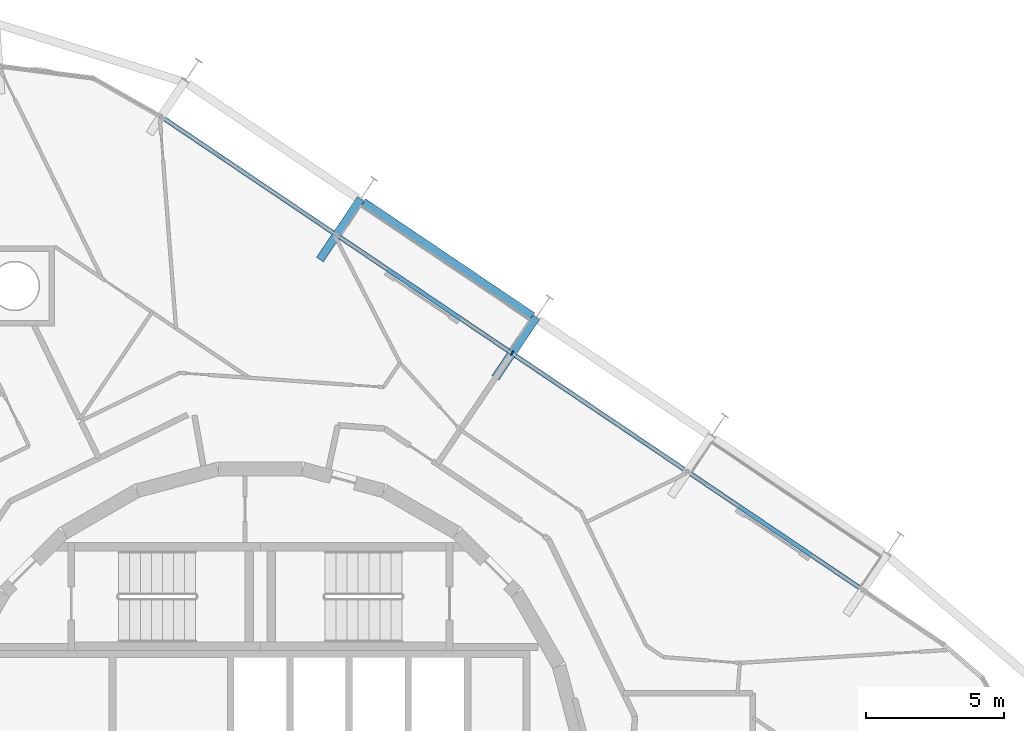
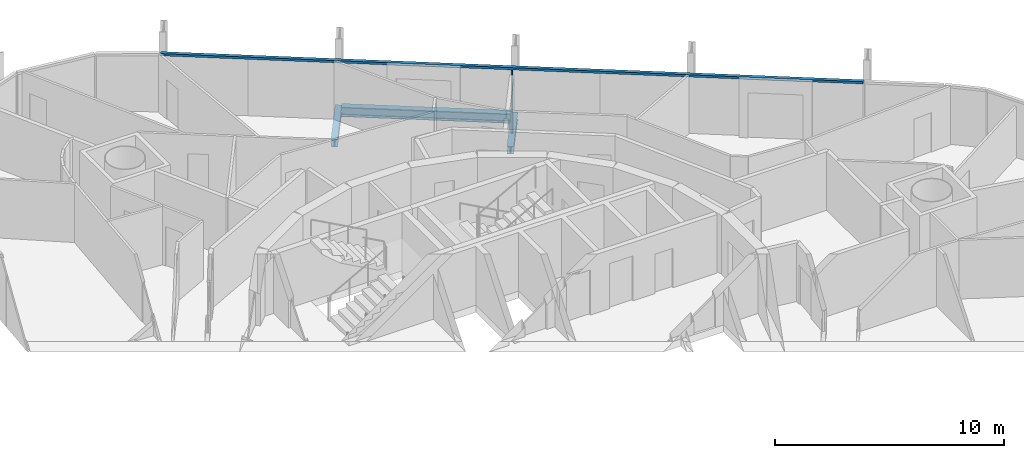
# One storey, part 7 of 17: 3 beams, 2 members, 1 element without a shape of its own.
"""IFC4 building model written with IfcOpenShell, lengths in metres."""

from ifc_helpers import new_model, si_unit, direction, frame, origin, origin_2d, place, context, subcontext, project, spatial, rectangle, i_section, extrude, material, layer, layer_set, material_profile, profile_set, type_object, element, aggregate, save


model = new_model("IFC4")

# Units and contexts
model_context = context("Model", 3, precision=1e-05, world=origin(), true_north=direction((0.0, 1.0)))
body_context = subcontext(model_context, "Body", "Model", "MODEL_VIEW")
ifc_project = project(units=[si_unit("LENGTHUNIT", "METRE"), si_unit("AREAUNIT", "SQUARE_METRE"), si_unit("VOLUMEUNIT", "CUBIC_METRE"), si_unit("PLANEANGLEUNIT", "RADIAN"), si_unit("MASSUNIT", "GRAM", prefix="KILO")], contexts=[model_context])

# Site, building, storey
site_placement = place(None, origin())
site = spatial("IfcSite", under=ifc_project, at=site_placement, CompositionType="ELEMENT")
building_placement = place(site_placement, origin())
building = spatial("IfcBuilding", under=site, at=building_placement, Name="Spindle Arch Residences", CompositionType="ELEMENT")
storey_placement = place(building_placement, frame((0.0, 0.0, 212.89990234375)))
storey = spatial("IfcBuildingStorey", under=building, at=storey_placement, Name="L54", CompositionType="ELEMENT", Elevation=212.89990234375)

# Curtain wall, members
ifc_material_1 = material(Name="Aluminium bronze unitised frame with tinted glass", Category="aluminium")
ifc_layer = layer(ifc_material_1, 0.159912109375)
ifc_layer_set = layer_set([ifc_layer], Name="CW-C typical residential unitised wall")
curtain_wall_type = type_object("IfcCurtainWallType", Name="CW-C typical residential unitised wall", PredefinedType="NOTDEFINED", material=ifc_layer_set)
curtain_wall_placement = place(storey_placement, origin())
curtain_wall = element("IfcCurtainWall", 1, at=curtain_wall_placement, inside=storey, type_object=curtain_wall_type, Name="CW-C L54 run 2", PredefinedType="NOTDEFINED")
ifc_material_2 = material(Name="Aluminium bronze anodised mullion", Category="aluminium")
ifc_material_profile_1 = material_profile(ifc_material_2, rectangle(XDim=0.159912109375, YDim=0.06005859375, at=origin_2d()), Name="MU 60x160")
ifc_profile_set_1 = profile_set([ifc_material_profile_1], Name="Aluminium bronze anodised mullion")
member_type_1 = type_object("IfcMemberType", Name="Bronze mullion 60x160", PredefinedType="MULLION", material=ifc_profile_set_1)
member_1_placement = place(storey_placement, frame((9.148193359375, 15.85595703125, -0.3798828125), z_axis=(0.0, 0.0, 1.0), x_axis=(-0.559192903471, -0.829037572555, 0.0)))
member_1 = element("IfcMember", 2, at=member_1_placement, type_object=member_type_1, Name="CW-C mullion 07", PredefinedType="MULLION", context=body_context, shape_type="SweptSolid", body=[
    extrude(rectangle(XDim=0.159912109375, YDim=0.06005859375, at=origin_2d()), origin(), (0.0, 0.0, 1.0), 3.3798828125),
])
ifc_material_3 = material(Name="Aluminium bronze anodised transom", Category="aluminium")
ifc_material_profile_2 = material_profile(ifc_material_3, rectangle(XDim=0.159912109375, YDim=0.1201171875, at=origin_2d()), Name="TR 120x160")
ifc_profile_set_2 = profile_set([ifc_material_profile_2], Name="Aluminium bronze anodised transom")
member_type_2 = type_object("IfcMemberType", Name="Bronze transom 120x160", PredefinedType="USERDEFINED", material=ifc_profile_set_2)
member_2_placement = place(storey_placement, frame((21.880126953125, 7.26806640625, 3.06005859375), z_axis=(-0.829038450691, 0.559191601578, 0.0), x_axis=(-0.559191601578, -0.829038450691, 0.0)))
member_2 = element("IfcMember", 3, at=member_2_placement, type_object=member_type_2, Name="CW-C transom 00", ObjectType="TRANSOM", PredefinedType="USERDEFINED", context=body_context, shape_type="SweptSolid", body=[
    extrude(rectangle(XDim=0.159912109375, YDim=0.1201171875, at=origin_2d()), origin(), (0.0, 0.0, 1.0), 30.71484375),
])
aggregate(curtain_wall, [member_2, member_1])

# Beams
ifc_material_4 = material(Name="Steel S460ML, intumescent coating R 120", Category="steel")
ifc_material_profile_3 = material_profile(ifc_material_4, i_section(OverallWidth=0.300048828125, OverallDepth=0.5, WebThickness=0.014404296875, FlangeThickness=0.028076171875, FilletRadius=0.027099609375, at=origin_2d()), Name="HEB 500")
ifc_profile_set_3 = profile_set([ifc_material_profile_3], Name="Steel S460ML, intumescent coating R 120")
beam_type_1 = type_object("IfcBeamType", Name="Exoskeleton edge beam HEB 500", PredefinedType="BEAM", material=ifc_profile_set_3)
beam_placement = place(storey_placement, frame((9.89599609375, 17.197021484375, -0.6298828125), z_axis=(-0.829031763913, 0.55920151504, 0.0), x_axis=(-0.55920151504, -0.829031763913, 0.0)))
element("IfcBeam", 4, at=beam_placement, inside=storey, type_object=beam_type_1, Name="Exoskeleton edge beam 8", PredefinedType="BEAM", context=body_context, shape_type="SweptSolid", body=[
    extrude(i_section(OverallWidth=0.300048828125, OverallDepth=0.5, WebThickness=0.014404296875, FlangeThickness=0.028076171875, FilletRadius=0.027099609375, at=origin_2d()), origin(), (0.0, 0.0, 1.0), 7.433837890625),
])
ifc_material_5 = material(Name="Steel S460ML, intumescent coating R 120", Category="steel")
ifc_material_profile_4 = material_profile(ifc_material_5, i_section(OverallWidth=0.300048828125, OverallDepth=0.389892578125, WebThickness=0.010986328125, FlangeThickness=0.01904296875, FilletRadius=0.027099609375, at=origin_2d()), Name="HEA 400")
ifc_profile_set_4 = profile_set([ifc_material_profile_4], Name="Steel S460ML, intumescent coating R 120")
beam_type_2 = type_object("IfcBeamType", Name="Floor outrigger HEA 400", PredefinedType="BEAM", material=ifc_profile_set_4)
for number, where, z_axis, x_axis, name in (
    (5, (10.026123046875, 17.157470703125, -0.574951171875), (-0.559241810757, -0.829004582075, 0.0), (0.829004582075, -0.559241810757, 0.0), "Floor outrigger 8"),
    (6, (3.647705078125, 21.459716796875, -0.574951171875), (-0.559135777436, -0.829076101688, 0.0), (0.829076101688, -0.559135777436, 0.0), "Floor outrigger 9"),
):
    element("IfcBeam", number, at=place(storey_placement, frame(where, z_axis=z_axis, x_axis=x_axis)), inside=storey, type_object=beam_type_2, Name=name, PredefinedType="BEAM", context=body_context, shape_type="SweptSolid", body=[
        extrude(i_section(OverallWidth=0.300048828125, OverallDepth=0.389892578125, WebThickness=0.010986328125, FlangeThickness=0.01904296875, FilletRadius=0.027099609375, at=origin_2d()), origin(), (0.0, 0.0, 1.0), 2.64990234375),
    ])

save(model, "model.ifc")
